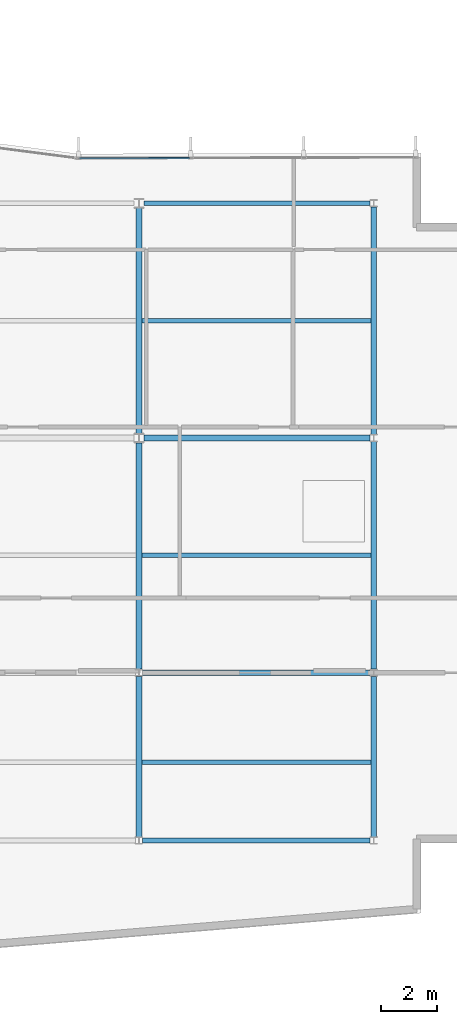
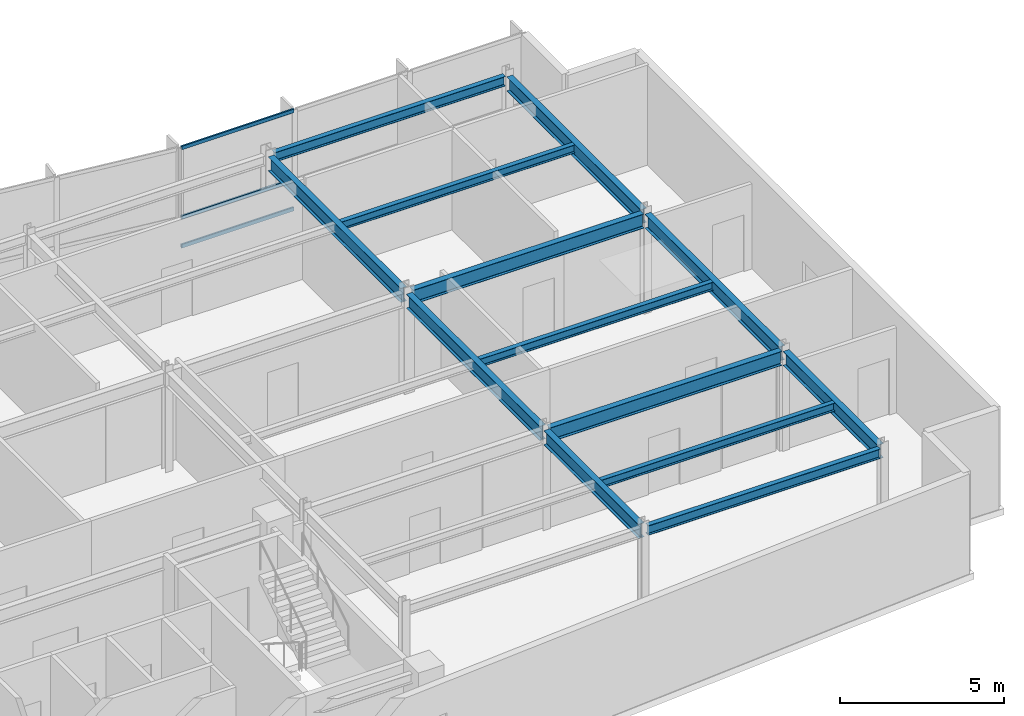
# One storey, part 7 of 15: 13 beams, 3 members, 1 element without a shape of its own.
"""IFC4 building model written with IfcOpenShell, lengths in metres."""

from ifc_helpers import new_model, si_unit, direction, frame, origin, origin_2d, place, context, subcontext, project, spatial, hollow_rectangle, i_section, extrude, material, layer, layer_set, material_profile, profile_set, type_object, element, aggregate, save


model = new_model("IFC4")

# Units and contexts
model_context = context("Model", 3, precision=1e-05, world=origin(), true_north=direction((0.0, 1.0)))
body_context = subcontext(model_context, "Body", "Model", "MODEL_VIEW")
ifc_project = project(units=[si_unit("LENGTHUNIT", "METRE"), si_unit("AREAUNIT", "SQUARE_METRE"), si_unit("VOLUMEUNIT", "CUBIC_METRE"), si_unit("PLANEANGLEUNIT", "RADIAN"), si_unit("MASSUNIT", "GRAM", prefix="KILO")], contexts=[model_context])

# Site, building, storey
site_placement = place(None, origin())
site = spatial("IfcSite", under=ifc_project, at=site_placement, CompositionType="ELEMENT")
building_placement = place(site_placement, origin())
building = spatial("IfcBuilding", under=site, at=building_placement, Name="Varnakote Quay Hospital", CompositionType="ELEMENT")
storey_placement = place(building_placement, frame((0.0, 0.0, 248.64990234375)))
storey = spatial("IfcBuildingStorey", under=building, at=storey_placement, Name="L61", CompositionType="ELEMENT", Elevation=248.64990234375)

# Beams
ifc_material_1 = material(Name="Structural steel AS/NZS 3679.1 Grade 350 L0 (fy 340 MPa)", Category="steel")
ifc_material_profile_1 = material_profile(ifc_material_1, i_section(OverallWidth=0.208984375, OverallDepth=0.528076171875, WebThickness=0.009521484375, FlangeThickness=0.01318359375, FilletRadius=0.013916015625, at=origin_2d()), Name="530UB82.0")
ifc_profile_set_1 = profile_set([ifc_material_profile_1], Name="Structural steel AS/NZS 3679.1 Grade 350 L0 (fy 340 MPa)")
beam_type_1 = type_object("IfcBeamType", Name="BM-STL-530UB82-0", PredefinedType="BEAM", material=ifc_profile_set_1)
beam_1_placement = place(storey_placement, frame((33.72705078125, 12.0, 3.446044921875), z_axis=(1.0, 0.0, 0.0), x_axis=(0.0, 1.0, 0.0)))
element("IfcBeam", 1, at=beam_1_placement, inside=storey, type_object=beam_type_1, Name="L61 Primary Floor Beam", PredefinedType="BEAM", context=body_context, shape_type="SweptSolid", body=[
    extrude(i_section(OverallWidth=0.208984375, OverallDepth=0.528076171875, WebThickness=0.009521484375, FlangeThickness=0.01318359375, FilletRadius=0.013916015625, at=origin_2d()), origin(), (0.0, 0.0, 1.0), 8.14599609375),
])
beam_2_placement = place(storey_placement, frame((33.77490234375, 20.39990234375, 3.446044921875), z_axis=(1.0, 0.0, 0.0), x_axis=(0.0, 1.0, 0.0)))
element("IfcBeam", 2, at=beam_2_placement, inside=storey, type_object=beam_type_1, Name="L61 Primary Floor Beam", PredefinedType="BEAM", context=body_context, shape_type="SweptSolid", body=[
    extrude(i_section(OverallWidth=0.208984375, OverallDepth=0.528076171875, WebThickness=0.009521484375, FlangeThickness=0.01318359375, FilletRadius=0.013916015625, at=origin_2d()), origin(), (0.0, 0.0, 1.0), 8.09814453125),
])
beam_3_placement = place(storey_placement, frame((33.60009765625, 6.126953125, 3.446044921875), z_axis=(0.0, 1.0, 0.0), x_axis=(-1.0, 0.0, 0.0)))
element("IfcBeam", 3, at=beam_3_placement, inside=storey, type_object=beam_type_1, Name="L61 Primary Tie Beam", PredefinedType="BEAM", context=body_context, shape_type="SweptSolid", body=[
    extrude(i_section(OverallWidth=0.208984375, OverallDepth=0.528076171875, WebThickness=0.009521484375, FlangeThickness=0.01318359375, FilletRadius=0.013916015625, at=origin_2d()), origin(), (0.0, 0.0, 1.0), 5.74609375),
])
beam_4_placement = place(storey_placement, frame((33.60009765625, 12.126953125, 3.446044921875), z_axis=(0.0, 1.0, 0.0), x_axis=(-1.0, 0.0, 0.0)))
element("IfcBeam", 4, at=beam_4_placement, inside=storey, type_object=beam_type_1, Name="L61 Primary Tie Beam", PredefinedType="BEAM", context=body_context, shape_type="SweptSolid", body=[
    extrude(i_section(OverallWidth=0.208984375, OverallDepth=0.528076171875, WebThickness=0.009521484375, FlangeThickness=0.01318359375, FilletRadius=0.013916015625, at=origin_2d()), origin(), (0.0, 0.0, 1.0), 8.10302734375),
])
beam_5_placement = place(storey_placement, frame((33.60009765625, 20.570068359375, 3.446044921875), z_axis=(0.0, 1.0, 0.0), x_axis=(-1.0, 0.0, 0.0)))
element("IfcBeam", 5, at=beam_5_placement, inside=storey, type_object=beam_type_1, Name="L61 Primary Tie Beam", PredefinedType="BEAM", context=body_context, shape_type="SweptSolid", body=[
    extrude(i_section(OverallWidth=0.208984375, OverallDepth=0.528076171875, WebThickness=0.009521484375, FlangeThickness=0.01318359375, FilletRadius=0.013916015625, at=origin_2d()), origin(), (0.0, 0.0, 1.0), 8.059814453125),
])
beam_6_placement = place(storey_placement, frame((42.0, 6.126953125, 3.446044921875), z_axis=(0.0, 1.0, 0.0), x_axis=(-1.0, 0.0, 0.0)))
element("IfcBeam", 6, at=beam_6_placement, inside=storey, type_object=beam_type_1, Name="L61 Primary Tie Beam", PredefinedType="BEAM", context=body_context, shape_type="SweptSolid", body=[
    extrude(i_section(OverallWidth=0.208984375, OverallDepth=0.528076171875, WebThickness=0.009521484375, FlangeThickness=0.01318359375, FilletRadius=0.013916015625, at=origin_2d()), origin(), (0.0, 0.0, 1.0), 5.74609375),
])
for number, where, z_axis, x_axis, name in (
    (7, (42.0, 12.126953125, 3.446044921875), (0.0, 1.0, 0.0), (-1.0, 0.0, 0.0), "L61 Primary Tie Beam"),
    (8, (42.0, 20.527099609375, 3.446044921875), (0.0, 1.0, 0.0), (-1.0, 0.0, 0.0), "L61 Primary Tie Beam"),
):
    element("IfcBeam", number, at=place(storey_placement, frame(where, z_axis=z_axis, x_axis=x_axis)), inside=storey, type_object=beam_type_1, Name=name, PredefinedType="BEAM", context=body_context, shape_type="SweptSolid", body=[
        extrude(i_section(OverallWidth=0.208984375, OverallDepth=0.528076171875, WebThickness=0.009521484375, FlangeThickness=0.01318359375, FilletRadius=0.013916015625, at=origin_2d()), origin(), (0.0, 0.0, 1.0), 8.14599609375),
    ])

# Curtain wall, members
ifc_material_2 = material(Name="Anodised aluminium 6063-T6 Bronze", Category="aluminium")
ifc_layer = layer(ifc_material_2, 0.235107421875)
ifc_layer_set = layer_set([ifc_layer], Name="Anodised aluminium 6063-T6 Bronze")
curtain_wall_type = type_object("IfcCurtainWallType", Name="CW-SYS-5", PredefinedType="NOTDEFINED", material=ifc_layer_set)
curtain_wall_placement = place(storey_placement, origin())
curtain_wall = element("IfcCurtainWall", 9, at=curtain_wall_placement, inside=storey, type_object=curtain_wall_type, Name="L61 Unitised Bronze Curtain Wall 1", PredefinedType="NOTDEFINED")
ifc_material_3 = material(Name="Anodised aluminium 6063-T6 Bronze", Category="aluminium")
ifc_material_profile_2 = material_profile(ifc_material_3, hollow_rectangle(XDim=0.06494140625, YDim=0.139892578125, WallThickness=0.00390625, InnerFilletRadius=0.00390625, OuterFilletRadius=0.007568359375, at=origin_2d()), Name="CW-TRAN-140x65")
ifc_profile_set_2 = profile_set([ifc_material_profile_2], Name="Anodised aluminium 6063-T6 Bronze")
member_type = type_object("IfcMemberType", Name="CW-TRAN-140x65", PredefinedType="USERDEFINED", material=ifc_profile_set_2)
member_1_placement = place(storey_placement, frame((35.418212890625, 30.41845703125, 0.03271484375), z_axis=(-0.999996625932, -0.002597715134, 0.0), x_axis=(0.002597715134, -0.999996625932, 0.0)))
member_1 = element("IfcMember", 10, at=member_1_placement, type_object=member_type, Name="-5-L61-1 transom 3.1", ObjectType="TRANSOM", PredefinedType="USERDEFINED", context=body_context, shape_type="SweptSolid", body=[
    extrude(hollow_rectangle(XDim=0.06494140625, YDim=0.139892578125, WallThickness=0.00390625, InnerFilletRadius=0.00390625, OuterFilletRadius=0.007568359375, at=origin_2d()), origin(), (0.0, 0.0, 1.0), 3.947265625),
])
member_2_placement = place(storey_placement, frame((35.418212890625, 30.41845703125, 1.10009765625), z_axis=(-0.999996625932, -0.002597715134, 0.0), x_axis=(0.002597715134, -0.999996625932, 0.0)))
member_2 = element("IfcMember", 11, at=member_2_placement, type_object=member_type, Name="-5-L61-1 transom 3.2", ObjectType="TRANSOM", PredefinedType="USERDEFINED", context=body_context, shape_type="SweptSolid", body=[
    extrude(hollow_rectangle(XDim=0.06494140625, YDim=0.139892578125, WallThickness=0.00390625, InnerFilletRadius=0.00390625, OuterFilletRadius=0.007568359375, at=origin_2d()), origin(), (0.0, 0.0, 1.0), 3.947265625),
])
member_3_placement = place(storey_placement, frame((35.418212890625, 30.41845703125, 3.677490234375), z_axis=(-0.999996625932, -0.002597715134, 0.0), x_axis=(0.002597715134, -0.999996625932, 0.0)))
member_3 = element("IfcMember", 12, at=member_3_placement, type_object=member_type, Name="-5-L61-1 transom 3.3", ObjectType="TRANSOM", PredefinedType="USERDEFINED", context=body_context, shape_type="SweptSolid", body=[
    extrude(hollow_rectangle(XDim=0.06494140625, YDim=0.139892578125, WallThickness=0.00390625, InnerFilletRadius=0.00390625, OuterFilletRadius=0.007568359375, at=origin_2d()), origin(), (0.0, 0.0, 1.0), 3.947265625),
])
aggregate(curtain_wall, [member_1, member_2, member_3])

# Beams
ifc_material_4 = material(Name="Structural steel AS/NZS 3679.1 Grade 350 L0 (fy 340 MPa)", Category="steel")
ifc_material_profile_3 = material_profile(ifc_material_4, i_section(OverallWidth=0.166015625, OverallDepth=0.306884765625, WebThickness=0.006591796875, FlangeThickness=0.01171875, FilletRadius=0.011474609375, at=origin_2d()), Name="310UB46.2")
ifc_profile_set_3 = profile_set([ifc_material_profile_3], Name="Structural steel AS/NZS 3679.1 Grade 350 L0 (fy 340 MPa)")
beam_type_2 = type_object("IfcBeamType", Name="JST-STL-310UB46-2", PredefinedType="JOIST", material=ifc_profile_set_3)
for number, where, z_axis, x_axis, name in (
    (13, (33.70458984375, 8.800048828125, 3.556640625), (1.0, 0.0, 0.0), (0.0, 1.0, 0.0), "L61 Composite Floor Joist"),
    (14, (33.70458984375, 16.199951171875, 3.556640625), (1.0, 0.0, 0.0), (0.0, 1.0, 0.0), "L61 Composite Floor Joist"),
    (15, (33.70458984375, 24.60009765625, 3.556640625), (1.0, 0.0, 0.0), (0.0, 1.0, 0.0), "L61 Composite Floor Joist"),
):
    element("IfcBeam", number, at=place(storey_placement, frame(where, z_axis=z_axis, x_axis=x_axis)), inside=storey, type_object=beam_type_2, Name=name, PredefinedType="JOIST", context=body_context, shape_type="SweptSolid", body=[
        extrude(i_section(OverallWidth=0.166015625, OverallDepth=0.306884765625, WebThickness=0.006591796875, FlangeThickness=0.01171875, FilletRadius=0.011474609375, at=origin_2d()), origin(), (0.0, 0.0, 1.0), 8.19091796875),
    ])
ifc_material_5 = material(Name="Structural steel AS/NZS 3679.1 Grade 350 L0 (fy 340 MPa)", Category="steel")
ifc_material_profile_4 = material_profile(ifc_material_5, i_section(OverallWidth=0.172119140625, OverallDepth=0.35888671875, WebThickness=0.008056640625, FlangeThickness=0.012939453125, FilletRadius=0.011474609375, at=origin_2d()), Name="360UB56.7")
ifc_profile_set_4 = profile_set([ifc_material_profile_4], Name="Structural steel AS/NZS 3679.1 Grade 350 L0 (fy 340 MPa)")
beam_type_3 = type_object("IfcBeamType", Name="SPN-STL-360UB56-7", PredefinedType="SPANDREL", material=ifc_profile_set_4)
beam_7_placement = place(storey_placement, frame((33.72705078125, 6.0, 3.530517578125), z_axis=(1.0, 0.0, 0.0), x_axis=(0.0, 1.0, 0.0)))
element("IfcBeam", 16, at=beam_7_placement, inside=storey, type_object=beam_type_3, Name="L61 Perimeter Spandrel Beam", PredefinedType="SPANDREL", context=body_context, shape_type="SweptSolid", body=[
    extrude(i_section(OverallWidth=0.172119140625, OverallDepth=0.35888671875, WebThickness=0.008056640625, FlangeThickness=0.012939453125, FilletRadius=0.011474609375, at=origin_2d()), origin(), (0.0, 0.0, 1.0), 8.14599609375),
])
beam_8_placement = place(storey_placement, frame((33.77490234375, 28.800048828125, 3.530517578125), z_axis=(1.0, 0.0, 0.0), x_axis=(0.0, 1.0, 0.0)))
element("IfcBeam", 17, at=beam_8_placement, inside=storey, type_object=beam_type_3, Name="L61 Perimeter Spandrel Beam", PredefinedType="SPANDREL", context=body_context, shape_type="SweptSolid", body=[
    extrude(i_section(OverallWidth=0.172119140625, OverallDepth=0.35888671875, WebThickness=0.008056640625, FlangeThickness=0.012939453125, FilletRadius=0.011474609375, at=origin_2d()), origin(), (0.0, 0.0, 1.0), 8.09814453125),
])

save(model, "model.ifc")
